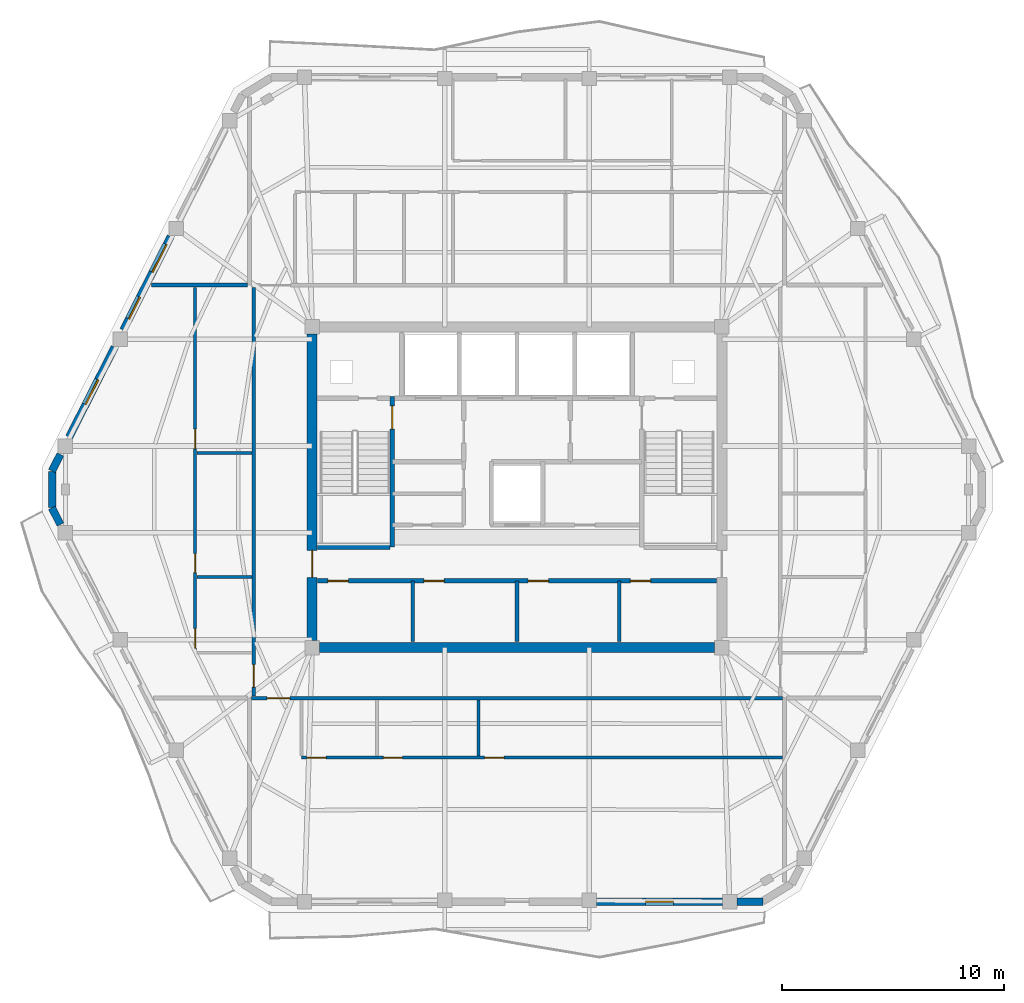
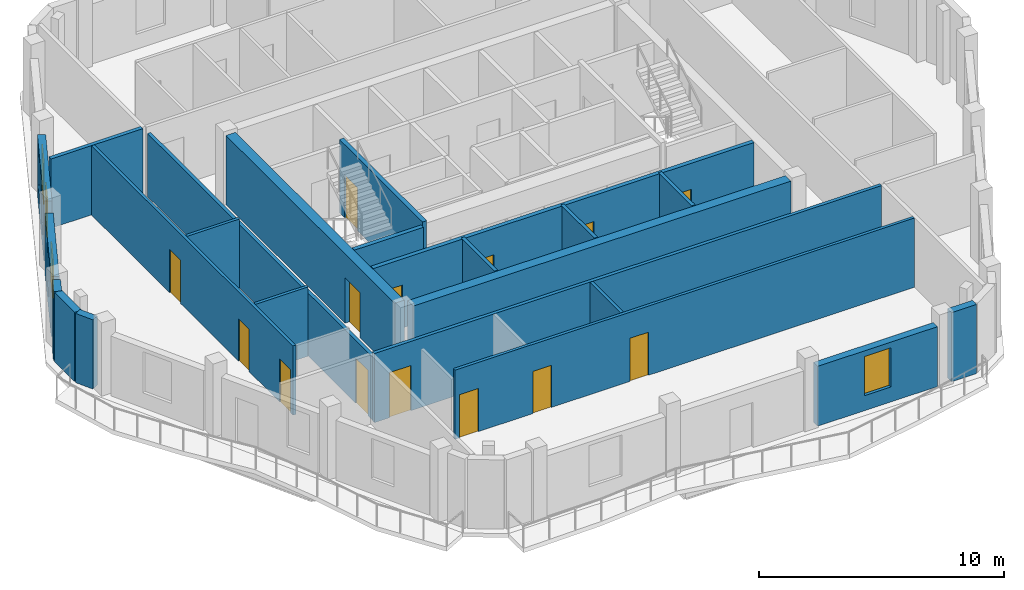
# One storey, part 4 of 10: 23 walls, 14 doors, 4 windows, 18 openings.
"""IFC4 building model written with IfcOpenShell, lengths in metres."""

from ifc_helpers import new_model, si_unit, direction, frame, frame_2d, origin, place, context, subcontext, project, spatial, rectangle, extrude, material, layer, layer_set, type_object, element, fill, save


model = new_model("IFC4")

# Units and contexts
model_context = context("Model", 3, precision=1e-05, world=origin(), true_north=direction((0.0, 1.0)))
body_context = subcontext(model_context, "Body", "Model", "MODEL_VIEW")
ifc_project = project(units=[si_unit("LENGTHUNIT", "METRE"), si_unit("AREAUNIT", "SQUARE_METRE"), si_unit("VOLUMEUNIT", "CUBIC_METRE"), si_unit("PLANEANGLEUNIT", "RADIAN"), si_unit("MASSUNIT", "GRAM", prefix="KILO")], contexts=[model_context])

# Site, building, storey
site_placement = place(None, origin())
site = spatial("IfcSite", under=ifc_project, at=site_placement, CompositionType="ELEMENT")
building_placement = place(site_placement, origin())
building = spatial("IfcBuilding", under=site, at=building_placement, Name="Cinnabar Lancet Tower", CompositionType="ELEMENT")
storey_placement = place(building_placement, frame((0.0, 0.0, 267.14990234375)))
storey = spatial("IfcBuildingStorey", under=building, at=storey_placement, Name="L71", CompositionType="ELEMENT", Elevation=267.14990234375)

# Walls
ifc_material_1 = material(Name="Acoustic twin-stud gypsum partition", Category="gypsum")
ifc_layer_1 = layer(ifc_material_1, 0.159912109375)
ifc_layer_set_1 = layer_set([ifc_layer_1], Name="Acoustic twin-stud gypsum partition")
wall_type_1 = type_object("IfcWallType", Name="ARC-WL-CORR-160", PredefinedType="PARTITIONING", material=ifc_layer_set_1)
for number, where, z_axis, x_axis, name in (
    (1, (27.699951171875, 18.949951171875, 0.0), (0.0, 0.0, 1.0), (0.0, 1.0, 0.0), "CW-SB-2770-L71"),
    (2, (32.39990234375, 18.949951171875, 0.0), (0.0, 0.0, 1.0), (0.0, 1.0, 0.0), "CW-SB-3240-L71"),
    (3, (37.0, 18.949951171875, 0.0), (0.0, 0.0, 1.0), (0.0, 1.0, 0.0), "CW-SB-3700-L71"),
):
    element("IfcWall", number, at=place(storey_placement, frame(where, z_axis=z_axis, x_axis=x_axis)), inside=storey, type_object=wall_type_1, Name=name, PredefinedType="PARTITIONING", context=body_context, shape_type="SweptSolid", body=[
        extrude(rectangle(XDim=2.72998046875, YDim=0.159912109375, at=frame_2d((1.364990234375, 0.0))), origin(), (0.0, 0.0, 1.0), 3.4501953125),
    ])

# Wall, opening, door
wall_1_placement = place(storey_placement, frame((20.445068359375, 16.39990234375, 0.0), z_axis=(0.0, 0.0, 1.0), x_axis=(1.0, 0.0, 0.0)))
wall_1 = element("IfcWall", 4, at=wall_1_placement, inside=storey, type_object=wall_type_1, Name="L71 Unit S01 Corridor Wall", PredefinedType="PARTITIONING", context=body_context, shape_type="SweptSolid", body=[
    extrude(rectangle(XDim=23.909912109375, YDim=0.159912109375, at=frame_2d((11.955078125, 0.0))), origin(), (0.0, 0.0, 1.0), 3.4501953125),
])
opening_1_placement = place(wall_1_placement, frame((0.705078125, 0.0, 0.0)))
opening_1 = element("IfcOpeningElement", 5, at=opening_1_placement, cuts=wall_1, Name="Opening UD-01", PredefinedType="OPENING", context=body_context, shape_type="SweptSolid", body=[
    extrude(rectangle(XDim=1.02001953125, YDim=2.25, at=frame_2d((0.510009765625, 1.125))), frame((0.0, 0.08984375, 0.0), z_axis=(0.0, -1.0, 0.0), x_axis=(1.0, 0.0, 0.0)), (0.0, 0.0, 1.0), 0.179931640625),
])
ifc_material_2 = material(Name="Solid timber fire-rated apartment entrance door", Category="wood")
door_type_1 = type_object("IfcDoorType", Name="ARC-DR-UNIT", OperationType="NOTDEFINED", PredefinedType="DOOR", material=ifc_material_2)
door_1_placement = place(opening_1_placement, origin())
door_1 = element("IfcDoor", 6, at=door_1_placement, inside=storey, type_object=door_type_1, Name="DR-L71-S01-ENT", OperationType="SINGLE_SWING_LEFT", OverallHeight=2.25, OverallWidth=1.02001953125, PredefinedType="DOOR", context=body_context, shape_type="SweptSolid", body=[
    extrude(rectangle(XDim=1.02001953125, YDim=2.25, at=frame_2d((0.510009765625, 1.125))), frame((0.0, 0.02490234375, 0.0), z_axis=(0.0, -1.0, 0.0), x_axis=(1.0, 0.0, 0.0)), (0.0, 0.0, 1.0), 0.050048828125),
])
fill(opening_1, door_1)

wall_2_placement = place(storey_placement, frame((20.550048828125, 16.4951171875, 0.0), z_axis=(0.0, 0.0, 1.0), x_axis=(0.0, 1.0, 0.0)))
wall_2 = element("IfcWall", 7, at=wall_2_placement, inside=storey, type_object=wall_type_1, Name="UW-L71-W01-COR", PredefinedType="PARTITIONING", context=body_context, shape_type="SweptSolid", body=[
    extrude(rectangle(XDim=18.409912109375, YDim=0.159912109375, at=frame_2d((9.205078125, 0.0))), origin(), (0.0, 0.0, 1.0), 3.13720703125),
])
opening_2_placement = place(wall_2_placement, frame((0.39990234375, 0.0, 0.0)))
opening_2 = element("IfcOpeningElement", 8, at=opening_2_placement, cuts=wall_2, Name="Opening UD-01", PredefinedType="OPENING", context=body_context, shape_type="SweptSolid", body=[
    extrude(rectangle(XDim=1.02001953125, YDim=2.25, at=frame_2d((0.510009765625, 1.125))), frame((0.0, 0.08984375, 0.0), z_axis=(0.0, -1.0, 0.0), x_axis=(1.0, 0.0, 0.0)), (0.0, 0.0, 1.0), 0.179931640625),
])
door_2_placement = place(opening_2_placement, origin())
door_2 = element("IfcDoor", 9, at=door_2_placement, inside=storey, type_object=door_type_1, Name="DR-L71-W01-ENT", OperationType="SINGLE_SWING_LEFT", OverallHeight=2.25, OverallWidth=1.02001953125, PredefinedType="DOOR", context=body_context, shape_type="SweptSolid", body=[
    extrude(rectangle(XDim=1.02001953125, YDim=2.25, at=frame_2d((0.510009765625, 1.125))), frame((0.0, 0.02490234375, 0.0), z_axis=(0.0, -1.0, 0.0), x_axis=(1.0, 0.0, 0.0)), (0.0, 0.0, 1.0), 0.050048828125),
])
fill(opening_2, door_2)

# Walls
ifc_material_3 = material(Name="Fire-rated twin-frame acoustic drywall", Category="gypsum")
ifc_layer_2 = layer(ifc_material_3, 0.179931640625)
ifc_layer_set_2 = layer_set([ifc_layer_2], Name="Fire-rated twin-frame acoustic drywall")
wall_type_2 = type_object("IfcWallType", Name="ARC-WL-PARTY-180", PredefinedType="PARTITIONING", material=ifc_layer_set_2)
wall_3_placement = place(storey_placement, frame((15.93310546875, 35.0, 0.0), z_axis=(0.0, 0.0, 1.0), x_axis=(1.0, 0.0, 0.0)))
element("IfcWall", 10, at=wall_3_placement, inside=storey, type_object=wall_type_2, Name="PW-L71-WNB", PredefinedType="PARTITIONING", context=body_context, shape_type="SweptSolid", body=[
    extrude(rectangle(XDim=4.32177734375, YDim=0.179931640625, at=frame_2d((2.160888671875, 0.0))), origin(), (0.0, 0.0, 1.0), 3.4501953125),
])
ifc_material_4 = material(Name="Autoclaved aerated concrete blockwork", Category="masonry")
ifc_layer_3 = layer(ifc_material_4, 0.199951171875)
ifc_layer_set_3 = layer_set([ifc_layer_3], Name="Autoclaved aerated concrete blockwork")
wall_type_3 = type_object("IfcWallType", Name="ARC-WL-SHAFT-200", PredefinedType="PLUMBINGWALL", material=ifc_layer_set_3)
wall_4_placement = place(storey_placement, frame((23.405029296875, 23.199951171875, 0.0), z_axis=(0.0, 0.0, 1.0), x_axis=(1.0, 0.0, 0.0)))
element("IfcWall", 11, at=wall_4_placement, inside=storey, type_object=wall_type_3, Name="CW-ST1S-L71", PredefinedType="PLUMBINGWALL", context=body_context, shape_type="SweptSolid", body=[
    extrude(rectangle(XDim=3.27001953125, YDim=0.199951171875, at=frame_2d((1.635009765625, 0.0))), origin(), (0.0, 0.0, 1.0), 3.4501953125),
])

# Wall, openings, doors
wall_5_placement = place(storey_placement, frame((23.419921875, 21.679931640625, 0.0), z_axis=(0.0, 0.0, 1.0), x_axis=(1.0, 0.0, 0.0)))
wall_5 = element("IfcWall", 12, at=wall_5_placement, inside=storey, type_object=wall_type_3, Name="CW-SBANDN-L71", PredefinedType="PLUMBINGWALL", context=body_context, shape_type="SweptSolid", body=[
    extrude(rectangle(XDim=17.9599609375, YDim=0.199951171875, at=frame_2d((8.97998046875, 0.0))), origin(), (0.0, 0.0, 1.0), 3.4501953125),
])
opening_3_placement = place(wall_5_placement, frame((0.4599609375, 0.0, 0.0)))
opening_3 = element("IfcOpeningElement", 13, at=opening_3_placement, cuts=wall_5, Name="Opening RD-01", PredefinedType="OPENING", context=body_context, shape_type="SweptSolid", body=[
    extrude(rectangle(XDim=0.919921875, YDim=2.14990234375, at=frame_2d((0.4599609375, 1.074951171875))), frame((0.0, 0.10986328125, 0.0), z_axis=(0.0, -1.0, 0.0), x_axis=(1.0, 0.0, 0.0)), (0.0, 0.0, 1.0), 0.219970703125),
])
opening_4_placement = place(wall_5_placement, frame((4.780029296875, 0.0, 0.0)))
opening_4 = element("IfcOpeningElement", 14, at=opening_4_placement, cuts=wall_5, Name="Opening RD-01", PredefinedType="OPENING", context=body_context, shape_type="SweptSolid", body=[
    extrude(rectangle(XDim=0.919921875, YDim=2.14990234375, at=frame_2d((0.4599609375, 1.074951171875))), frame((0.0, 0.10986328125, 0.0), z_axis=(0.0, -1.0, 0.0), x_axis=(1.0, 0.0, 0.0)), (0.0, 0.0, 1.0), 0.219970703125),
])
opening_5_placement = place(wall_5_placement, frame((9.47998046875, 0.0, 0.0)))
opening_5 = element("IfcOpeningElement", 15, at=opening_5_placement, cuts=wall_5, Name="Opening RD-01", PredefinedType="OPENING", context=body_context, shape_type="SweptSolid", body=[
    extrude(rectangle(XDim=0.919921875, YDim=2.14990234375, at=frame_2d((0.4599609375, 1.074951171875))), frame((0.0, 0.10986328125, 0.0), z_axis=(0.0, -1.0, 0.0), x_axis=(1.0, 0.0, 0.0)), (0.0, 0.0, 1.0), 0.219970703125),
])
opening_6_placement = place(wall_5_placement, frame((14.080078125, 0.0, 0.0)))
opening_6 = element("IfcOpeningElement", 16, at=opening_6_placement, cuts=wall_5, Name="Opening RD-01", PredefinedType="OPENING", context=body_context, shape_type="SweptSolid", body=[
    extrude(rectangle(XDim=0.919921875, YDim=2.14990234375, at=frame_2d((0.4599609375, 1.074951171875))), frame((0.0, 0.10986328125, 0.0), z_axis=(0.0, -1.0, 0.0), x_axis=(1.0, 0.0, 0.0)), (0.0, 0.0, 1.0), 0.219970703125),
])
ifc_material_5 = material(Name="Engineered timber bedroom door", Category="wood")
door_type_2 = type_object("IfcDoorType", Name="ARC-DR-ROOM", OperationType="NOTDEFINED", PredefinedType="DOOR", material=ifc_material_5)
door_3_placement = place(opening_3_placement, origin())
door_3 = element("IfcDoor", 17, at=door_3_placement, inside=storey, type_object=door_type_2, Name="DR-L71-HREC1", OperationType="SINGLE_SWING_LEFT", OverallHeight=2.14990234375, OverallWidth=0.919921875, PredefinedType="DOOR", context=body_context, shape_type="SweptSolid", body=[
    extrude(rectangle(XDim=0.919921875, YDim=2.14990234375, at=frame_2d((0.4599609375, 1.074951171875))), frame((0.0, 0.02490234375, 0.0), z_axis=(0.0, -1.0, 0.0), x_axis=(1.0, 0.0, 0.0)), (0.0, 0.0, 1.0), 0.050048828125),
])
fill(opening_3, door_3)
door_4_placement = place(opening_4_placement, origin())
door_4 = element("IfcDoor", 18, at=door_4_placement, inside=storey, type_object=door_type_2, Name="DR-L71-HREC2", OperationType="SINGLE_SWING_RIGHT", OverallHeight=2.14990234375, OverallWidth=0.919921875, PredefinedType="DOOR", context=body_context, shape_type="SweptSolid", body=[
    extrude(rectangle(XDim=0.919921875, YDim=2.14990234375, at=frame_2d((0.4599609375, 1.074951171875))), frame((0.0, 0.02490234375, 0.0), z_axis=(0.0, -1.0, 0.0), x_axis=(1.0, 0.0, 0.0)), (0.0, 0.0, 1.0), 0.050048828125),
])
fill(opening_4, door_4)
door_5_placement = place(opening_5_placement, origin())
door_5 = element("IfcDoor", 19, at=door_5_placement, inside=storey, type_object=door_type_2, Name="DR-L71-HREC3", OperationType="SINGLE_SWING_LEFT", OverallHeight=2.14990234375, OverallWidth=0.919921875, PredefinedType="DOOR", context=body_context, shape_type="SweptSolid", body=[
    extrude(rectangle(XDim=0.919921875, YDim=2.14990234375, at=frame_2d((0.4599609375, 1.074951171875))), frame((0.0, 0.02490234375, 0.0), z_axis=(0.0, -1.0, 0.0), x_axis=(1.0, 0.0, 0.0)), (0.0, 0.0, 1.0), 0.050048828125),
])
fill(opening_5, door_5)
door_6_placement = place(opening_6_placement, origin())
door_6 = element("IfcDoor", 20, at=door_6_placement, inside=storey, type_object=door_type_2, Name="DR-L71-HREC4", OperationType="SINGLE_SWING_RIGHT", OverallHeight=2.14990234375, OverallWidth=0.919921875, PredefinedType="DOOR", context=body_context, shape_type="SweptSolid", body=[
    extrude(rectangle(XDim=0.919921875, YDim=2.14990234375, at=frame_2d((0.4599609375, 1.074951171875))), frame((0.0, 0.02490234375, 0.0), z_axis=(0.0, -1.0, 0.0), x_axis=(1.0, 0.0, 0.0)), (0.0, 0.0, 1.0), 0.050048828125),
])
fill(opening_6, door_6)

ifc_material_6 = material(Name="Moisture-resistant cement-board plumbing wall", Category="masonry")
ifc_layer_4 = layer(ifc_material_6, 0.139892578125)
ifc_layer_set_4 = layer_set([ifc_layer_4], Name="Moisture-resistant cement-board plumbing wall")
wall_type_4 = type_object("IfcWallType", Name="ARC-WL-WET-140", PredefinedType="PLUMBINGWALL", material=ifc_layer_set_4)
wall_6_placement = place(storey_placement, frame((22.699951171875, 13.720947265625, 0.0), z_axis=(0.0, 0.0, 1.0), x_axis=(1.0, 0.0, 0.0)))
wall_6 = element("IfcWall", 21, at=wall_6_placement, inside=storey, type_object=wall_type_4, Name="UW-L71-S01-SPL", PredefinedType="PLUMBINGWALL", context=body_context, shape_type="SweptSolid", body=[
    extrude(rectangle(XDim=21.655029296875, YDim=0.139892578125, at=frame_2d((10.82763671875, 0.0))), origin(), (0.0, 0.0, 1.0), 3.4501953125),
])
opening_7_placement = place(wall_6_placement, frame((3.679931640625, 0.0, 0.0)))
opening_7 = element("IfcOpeningElement", 22, at=opening_7_placement, cuts=wall_6, Name="Opening BD-01", PredefinedType="OPENING", context=body_context, shape_type="SweptSolid", body=[
    extrude(rectangle(XDim=0.860107421875, YDim=2.10009765625, at=frame_2d((0.43017578125, 1.050048828125))), frame((0.0, 0.079833984375, 0.0), z_axis=(0.0, -1.0, 0.0), x_axis=(1.0, 0.0, 0.0)), (0.0, 0.0, 1.0), 0.159912109375),
])
opening_8_placement = place(wall_6_placement, frame((8.2451171875, 0.0, 0.0)))
opening_8 = element("IfcOpeningElement", 23, at=opening_8_placement, cuts=wall_6, Name="Opening RD-02", PredefinedType="OPENING", context=body_context, shape_type="SweptSolid", body=[
    extrude(rectangle(XDim=0.8798828125, YDim=2.14990234375, at=frame_2d((0.43994140625, 1.074951171875))), frame((0.0, 0.079833984375, 0.0), z_axis=(0.0, -1.0, 0.0), x_axis=(1.0, 0.0, 0.0)), (0.0, 0.0, 1.0), 0.159912109375),
])
opening_9_placement = place(wall_6_placement, frame((0.219970703125, 0.0, 0.0)))
opening_9 = element("IfcOpeningElement", 24, at=opening_9_placement, cuts=wall_6, Name="Opening RD-02", PredefinedType="OPENING", context=body_context, shape_type="SweptSolid", body=[
    extrude(rectangle(XDim=0.8798828125, YDim=2.14990234375, at=frame_2d((0.43994140625, 1.074951171875))), frame((0.0, 0.079833984375, 0.0), z_axis=(0.0, -1.0, 0.0), x_axis=(1.0, 0.0, 0.0)), (0.0, 0.0, 1.0), 0.159912109375),
])
ifc_material_7 = material(Name="Moisture-resistant timber bathroom door", Category="wood")
door_type_3 = type_object("IfcDoorType", Name="ARC-DR-BATH", OperationType="NOTDEFINED", PredefinedType="DOOR", material=ifc_material_7)
door_7_placement = place(opening_7_placement, origin())
door_7 = element("IfcDoor", 25, at=door_7_placement, inside=storey, type_object=door_type_3, Name="DR-L71-S01-BTH", OperationType="SINGLE_SWING_LEFT", OverallHeight=2.10009765625, OverallWidth=0.860107421875, PredefinedType="DOOR", context=body_context, shape_type="SweptSolid", body=[
    extrude(rectangle(XDim=0.860107421875, YDim=2.10009765625, at=frame_2d((0.43017578125, 1.050048828125))), frame((0.0, 0.02490234375, 0.0), z_axis=(0.0, -1.0, 0.0), x_axis=(1.0, 0.0, 0.0)), (0.0, 0.0, 1.0), 0.050048828125),
])
fill(opening_7, door_7)
ifc_material_8 = material(Name="Engineered timber study door", Category="wood")
door_type_4 = type_object("IfcDoorType", Name="ARC-DR-STUDY", OperationType="NOTDEFINED", PredefinedType="DOOR", material=ifc_material_8)
door_8_placement = place(opening_8_placement, origin())
door_8 = element("IfcDoor", 26, at=door_8_placement, inside=storey, type_object=door_type_4, Name="DR-L71-S01-BTH-WDR", OperationType="SINGLE_SWING_RIGHT", OverallHeight=2.14990234375, OverallWidth=0.8798828125, PredefinedType="DOOR", context=body_context, shape_type="SweptSolid", body=[
    extrude(rectangle(XDim=0.8798828125, YDim=2.14990234375, at=frame_2d((0.43994140625, 1.074951171875))), frame((0.0, 0.02490234375, 0.0), z_axis=(0.0, -1.0, 0.0), x_axis=(1.0, 0.0, 0.0)), (0.0, 0.0, 1.0), 0.050048828125),
])
fill(opening_8, door_8)
door_9_placement = place(opening_9_placement, origin())
door_9 = element("IfcDoor", 27, at=door_9_placement, inside=storey, type_object=door_type_4, Name="DR-L71-S01-KIT", OperationType="SINGLE_SWING_RIGHT", OverallHeight=2.14990234375, OverallWidth=0.8798828125, PredefinedType="DOOR", context=body_context, shape_type="SweptSolid", body=[
    extrude(rectangle(XDim=0.8798828125, YDim=2.14990234375, at=frame_2d((0.43994140625, 1.074951171875))), frame((0.0, 0.02490234375, 0.0), z_axis=(0.0, -1.0, 0.0), x_axis=(1.0, 0.0, 0.0)), (0.0, 0.0, 1.0), 0.050048828125),
])
fill(opening_9, door_9)

# Wall
wall_7_placement = place(storey_placement, frame((30.6650390625, 13.805908203125, 0.0), z_axis=(0.0, 0.0, 1.0), x_axis=(0.0, 1.0, 0.0)))
element("IfcWall", 28, at=wall_7_placement, inside=storey, type_object=wall_type_4, Name="UW-L71-S01-BTH-WDV", PredefinedType="PLUMBINGWALL", context=body_context, shape_type="SweptSolid", body=[
    extrude(rectangle(XDim=2.509033203125, YDim=0.139892578125, at=frame_2d((1.25439453125, 0.0))), origin(), (0.0, 0.0, 1.0), 3.4501953125),
])

# Wall, openings, doors
wall_8_placement = place(storey_placement, frame((17.89990234375, 18.449951171875, 0.0), z_axis=(0.0, 0.0, 1.0), x_axis=(0.0, 1.0, 0.0)))
wall_8 = element("IfcWall", 29, at=wall_8_placement, inside=storey, type_object=wall_type_4, Name="UW-L71-W01-SPL", PredefinedType="PLUMBINGWALL", context=body_context, shape_type="SweptSolid", body=[
    extrude(rectangle(XDim=16.455078125, YDim=0.139892578125, at=frame_2d((8.2275390625, 0.0))), origin(), (0.0, 0.0, 1.0), 3.4501953125),
])
opening_10_placement = place(wall_8_placement, frame((3.60009765625, 0.0, 0.0)))
opening_10 = element("IfcOpeningElement", 30, at=opening_10_placement, cuts=wall_8, Name="Opening BD-01", PredefinedType="OPENING", context=body_context, shape_type="SweptSolid", body=[
    extrude(rectangle(XDim=0.860107421875, YDim=2.10009765625, at=frame_2d((0.43017578125, 1.050048828125))), frame((0.0, 0.079833984375, 0.0), z_axis=(0.0, -1.0, 0.0), x_axis=(1.0, 0.0, 0.0)), (0.0, 0.0, 1.0), 0.159912109375),
])
opening_11_placement = place(wall_8_placement, frame((9.18701171875, 0.0, 0.0)))
opening_11 = element("IfcOpeningElement", 31, at=opening_11_placement, cuts=wall_8, Name="Opening RD-02", PredefinedType="OPENING", context=body_context, shape_type="SweptSolid", body=[
    extrude(rectangle(XDim=0.8798828125, YDim=2.14990234375, at=frame_2d((0.43994140625, 1.074951171875))), frame((0.0, 0.079833984375, 0.0), z_axis=(0.0, -1.0, 0.0), x_axis=(1.0, 0.0, 0.0)), (0.0, 0.0, 1.0), 0.159912109375),
])
opening_12_placement = place(wall_8_placement, frame((0.199951171875, 0.0, 0.0)))
opening_12 = element("IfcOpeningElement", 32, at=opening_12_placement, cuts=wall_8, Name="Opening RD-02", PredefinedType="OPENING", context=body_context, shape_type="SweptSolid", body=[
    extrude(rectangle(XDim=0.8798828125, YDim=2.14990234375, at=frame_2d((0.43994140625, 1.074951171875))), frame((0.0, 0.079833984375, 0.0), z_axis=(0.0, -1.0, 0.0), x_axis=(1.0, 0.0, 0.0)), (0.0, 0.0, 1.0), 0.159912109375),
])
door_10_placement = place(opening_10_placement, origin())
door_10 = element("IfcDoor", 33, at=door_10_placement, inside=storey, type_object=door_type_3, Name="DR-L71-W01-BTH", OperationType="SINGLE_SWING_LEFT", OverallHeight=2.10009765625, OverallWidth=0.860107421875, PredefinedType="DOOR", context=body_context, shape_type="SweptSolid", body=[
    extrude(rectangle(XDim=0.860107421875, YDim=2.10009765625, at=frame_2d((0.43017578125, 1.050048828125))), frame((0.0, 0.02490234375, 0.0), z_axis=(0.0, -1.0, 0.0), x_axis=(1.0, 0.0, 0.0)), (0.0, 0.0, 1.0), 0.050048828125),
])
fill(opening_10, door_10)
door_11_placement = place(opening_11_placement, origin())
door_11 = element("IfcDoor", 34, at=door_11_placement, inside=storey, type_object=door_type_4, Name="DR-L71-W01-WDR", OperationType="SINGLE_SWING_RIGHT", OverallHeight=2.14990234375, OverallWidth=0.8798828125, PredefinedType="DOOR", context=body_context, shape_type="SweptSolid", body=[
    extrude(rectangle(XDim=0.8798828125, YDim=2.14990234375, at=frame_2d((0.43994140625, 1.074951171875))), frame((0.0, 0.02490234375, 0.0), z_axis=(0.0, -1.0, 0.0), x_axis=(1.0, 0.0, 0.0)), (0.0, 0.0, 1.0), 0.050048828125),
])
fill(opening_11, door_11)
door_12_placement = place(opening_12_placement, origin())
door_12 = element("IfcDoor", 35, at=door_12_placement, inside=storey, type_object=door_type_4, Name="DR-L71-W01-KIT", OperationType="SINGLE_SWING_RIGHT", OverallHeight=2.14990234375, OverallWidth=0.8798828125, PredefinedType="DOOR", context=body_context, shape_type="SweptSolid", body=[
    extrude(rectangle(XDim=0.8798828125, YDim=2.14990234375, at=frame_2d((0.43994140625, 1.074951171875))), frame((0.0, 0.02490234375, 0.0), z_axis=(0.0, -1.0, 0.0), x_axis=(1.0, 0.0, 0.0)), (0.0, 0.0, 1.0), 0.050048828125),
])
fill(opening_12, door_12)

# Walls
for number, where, z_axis, x_axis, name in (
    (36, (17.985107421875, 21.85009765625, 0.0), (0.0, 0.0, 1.0), (1.0, 0.0, 0.0), "UW-L71-W01-KDV"),
    (37, (17.985107421875, 27.43701171875, 0.0), (0.0, 0.0, 1.0), (1.0, 0.0, 0.0), "UW-L71-W01-BWDV"),
):
    element("IfcWall", number, at=place(storey_placement, frame(where, z_axis=z_axis, x_axis=x_axis)), inside=storey, type_object=wall_type_4, Name=name, PredefinedType="PLUMBINGWALL", context=body_context, shape_type="SweptSolid", body=[
        extrude(rectangle(XDim=2.47998046875, YDim=0.139892578125, at=frame_2d((1.239990234375, 0.0))), origin(), (0.0, 0.0, 1.0), 3.4501953125),
    ])
ifc_material_9 = material(Name="Cinnabar red clay brick", Category="masonry")
ifc_layer_5 = layer(ifc_material_9, 0.340087890625)
ifc_layer_set_5 = layer_set([ifc_layer_5], Name="Cinnabar red clay brick")
wall_type_5 = type_object("IfcWallType", Name="ENV-WL-BRK-RED-340", PredefinedType="STANDARD", material=ifc_layer_set_5)
wall_9_placement = place(storey_placement, frame((11.47705078125, 26.6201171875, 0.0), z_axis=(0.0, 0.0, 1.0), x_axis=(0.0, -1.0, 0.0)))
element("IfcWall", 38, at=wall_9_placement, inside=storey, type_object=wall_type_5, Name="L71 Chamfered Corner Brick Pier 6.1", PredefinedType="STANDARD", context=body_context, shape_type="SweptSolid", body=[
    extrude(rectangle(XDim=1.64013671875, YDim=0.340087890625, at=frame_2d((0.820068359375, 0.0))), origin(), (0.0, 0.0, 1.0), 3.4501953125),
])

# Wall, opening, window
wall_10_placement = place(storey_placement, frame((35.98291015625, 7.22998046875, 0.0), z_axis=(0.0, 0.0, 1.0), x_axis=(1.0, 0.0, 0.0)))
wall_10 = element("IfcWall", 39, at=wall_10_placement, inside=storey, type_object=wall_type_5, Name="L71 Face 1 Masonry Bay Wall 4", PredefinedType="STANDARD", context=body_context, shape_type="SweptSolid", body=[
    extrude(rectangle(XDim=5.66015625, YDim=0.340087890625, at=frame_2d((2.830078125, 0.0))), origin(), (0.0, 0.0, 1.0), 2.983154296875),
])
opening_13_placement = place(wall_10_placement, frame((2.205078125, 0.0, 0.75)))
opening_13 = element("IfcOpeningElement", 40, at=opening_13_placement, cuts=wall_10, Name="Opening WN-03", PredefinedType="OPENING", context=body_context, shape_type="SweptSolid", body=[
    extrude(rectangle(XDim=1.25, YDim=1.949951171875, at=frame_2d((0.625, 0.97509765625))), frame((0.0, 0.179931640625, 0.0), z_axis=(0.0, -1.0, 0.0), x_axis=(1.0, 0.0, 0.0)), (0.0, 0.0, 1.0), 0.360107421875),
])
ifc_material_10 = material(Name="Thermally broken bronze-anodized aluminium low-E double glazing", Category="aluminium")
window_type_1 = type_object("IfcWindowType", Name="ENV-WN-LANCET-1250", PartitioningType="SINGLE_PANEL", PredefinedType="WINDOW", material=ifc_material_10)
window_1_placement = place(opening_13_placement, origin())
window_1 = element("IfcWindow", 41, at=window_1_placement, inside=storey, type_object=window_type_1, Name="L71 Face 1 Gothic Lancet Window 4", OverallHeight=1.949951171875, OverallWidth=1.25, PartitioningType="SINGLE_PANEL", PredefinedType="WINDOW", context=body_context, shape_type="SweptSolid", body=[
    extrude(rectangle(XDim=1.25, YDim=1.949951171875, at=frame_2d((0.625, 0.97509765625))), frame((0.0, 0.030029296875, 0.0), z_axis=(0.0, -1.0, 0.0), x_axis=(1.0, 0.0, 0.0)), (0.0, 0.0, 1.0), 0.06005859375),
])
fill(opening_13, window_1)

# Wall
wall_11_placement = place(storey_placement, frame((42.301025390625, 7.22998046875, 0.0), z_axis=(0.0, 0.0, 1.0), x_axis=(1.0, 0.0, 0.0)))
element("IfcWall", 42, at=wall_11_placement, inside=storey, type_object=wall_type_5, Name="L71 Face 1 Masonry Bay Wall 5", PredefinedType="STANDARD", context=body_context, shape_type="SweptSolid", body=[
    extrude(rectangle(XDim=1.173095703125, YDim=0.340087890625, at=frame_2d((0.58642578125, 0.0))), origin(), (0.0, 0.0, 1.0), 3.4501953125),
])

# Wall, openings, windows
wall_12_placement = place(storey_placement, frame((16.798095703125, 37.18701171875, 0.0), z_axis=(0.0, 0.0, 1.0), x_axis=(-0.451447516904, -0.892297674255, 0.0)))
wall_12 = element("IfcWall", 43, at=wall_12_placement, inside=storey, type_object=wall_type_5, Name="L71 Face 5 Masonry Bay Wall 3", PredefinedType="STANDARD", context=body_context, shape_type="SweptSolid", body=[
    extrude(rectangle(XDim=4.72265625, YDim=0.340087890625, at=frame_2d((2.361328125, 0.0))), origin(), (0.0, 0.0, 1.0), 2.983154296875),
])
opening_14_placement = place(wall_12_placement, frame((0.39599609375, 0.0, 0.75)))
opening_14 = element("IfcOpeningElement", 44, at=opening_14_placement, cuts=wall_12, Name="Opening WN-02", PredefinedType="OPENING", context=body_context, shape_type="SweptSolid", body=[
    extrude(rectangle(XDim=1.39990234375, YDim=2.050048828125, at=frame_2d((0.699951171875, 1.02490234375))), frame((0.0, 0.179931640625, 0.0), z_axis=(0.0, -1.0, 0.0), x_axis=(1.0, 0.0, 0.0)), (0.0, 0.0, 1.0), 0.360107421875),
])
opening_15_placement = place(wall_12_placement, frame((3.05810546875, 0.0, 0.75)))
opening_15 = element("IfcOpeningElement", 45, at=opening_15_placement, cuts=wall_12, Name="Opening WN-04", PredefinedType="OPENING", context=body_context, shape_type="SweptSolid", body=[
    extrude(rectangle(XDim=1.10009765625, YDim=2.0, at=frame_2d((0.550048828125, 1.0))), frame((0.0, 0.179931640625, 0.0), z_axis=(0.0, -1.0, 0.0), x_axis=(1.0, 0.0, 0.0)), (0.0, 0.0, 1.0), 0.360107421875),
])
ifc_material_11 = material(Name="Thermally broken bronze-anodized aluminium tall lancet window", Category="aluminium")
window_type_2 = type_object("IfcWindowType", Name="ENV-WN-LANCET-1100", PartitioningType="SINGLE_PANEL", PredefinedType="WINDOW", material=ifc_material_11)
window_2_placement = place(opening_15_placement, origin())
window_2 = element("IfcWindow", 46, at=window_2_placement, inside=storey, type_object=window_type_2, Name="L71 Split-Bay Gothic Lancet Window 266", OverallHeight=2.0, OverallWidth=1.10009765625, PartitioningType="SINGLE_PANEL", PredefinedType="WINDOW", context=body_context, shape_type="SweptSolid", body=[
    extrude(rectangle(XDim=1.10009765625, YDim=2.0, at=frame_2d((0.550048828125, 1.0))), frame((0.0, 0.030029296875, 0.0), z_axis=(0.0, -1.0, 0.0), x_axis=(1.0, 0.0, 0.0)), (0.0, 0.0, 1.0), 0.06005859375),
])
fill(opening_15, window_2)
ifc_material_12 = material(Name="Thermally broken bronze-anodized aluminium low-E double glazing", Category="aluminium")
window_type_3 = type_object("IfcWindowType", Name="ENV-WN-LANCET-1400", PartitioningType="SINGLE_PANEL", PredefinedType="WINDOW", material=ifc_material_12)
window_3_placement = place(opening_14_placement, origin())
window_3 = element("IfcWindow", 47, at=window_3_placement, inside=storey, type_object=window_type_3, Name="L71 Face 5 Gothic Lancet Window 3", OverallHeight=2.050048828125, OverallWidth=1.39990234375, PartitioningType="SINGLE_PANEL", PredefinedType="WINDOW", context=body_context, shape_type="SweptSolid", body=[
    extrude(rectangle(XDim=1.39990234375, YDim=2.050048828125, at=frame_2d((0.699951171875, 1.02490234375))), frame((0.0, 0.030029296875, 0.0), z_axis=(0.0, -1.0, 0.0), x_axis=(1.0, 0.0, 0.0)), (0.0, 0.0, 1.0), 0.06005859375),
])
fill(opening_14, window_3)

# Wall, opening, window
wall_13_placement = place(storey_placement, frame((14.277099609375, 32.202880859375, 0.0), z_axis=(0.0, 0.0, 1.0), x_axis=(-0.45147697324, -0.892282770558, 0.0)))
wall_13 = element("IfcWall", 48, at=wall_13_placement, inside=storey, type_object=wall_type_5, Name="L71 Face 5 Masonry Bay Wall 4", PredefinedType="STANDARD", context=body_context, shape_type="SweptSolid", body=[
    extrude(rectangle(XDim=4.530029296875, YDim=0.340087890625, at=frame_2d((2.26513671875, 0.0))), origin(), (0.0, 0.0, 1.0), 2.983154296875),
])
opening_16_placement = place(wall_13_placement, frame((1.639892578125, 0.0, 0.75)))
opening_16 = element("IfcOpeningElement", 49, at=opening_16_placement, cuts=wall_13, Name="Opening WN-03", PredefinedType="OPENING", context=body_context, shape_type="SweptSolid", body=[
    extrude(rectangle(XDim=1.25, YDim=1.949951171875, at=frame_2d((0.625, 0.97509765625))), frame((0.0, 0.179931640625, 0.0), z_axis=(0.0, -1.0, 0.0), x_axis=(1.0, 0.0, 0.0)), (0.0, 0.0, 1.0), 0.360107421875),
])
window_4_placement = place(opening_16_placement, origin())
window_4 = element("IfcWindow", 50, at=window_4_placement, inside=storey, type_object=window_type_1, Name="L71 Face 5 Gothic Lancet Window 4", OverallHeight=1.949951171875, OverallWidth=1.25, PartitioningType="SINGLE_PANEL", PredefinedType="WINDOW", context=body_context, shape_type="SweptSolid", body=[
    extrude(rectangle(XDim=1.25, YDim=1.949951171875, at=frame_2d((0.625, 0.97509765625))), frame((0.0, 0.030029296875, 0.0), z_axis=(0.0, -1.0, 0.0), x_axis=(1.0, 0.0, 0.0)), (0.0, 0.0, 1.0), 0.06005859375),
])
fill(opening_16, window_4)

# Walls
wall_14_placement = place(storey_placement, frame((11.8349609375, 27.3759765625, 0.0), z_axis=(0.0, 0.0, 1.0), x_axis=(-0.45139691133, -0.892323275748, 0.0)))
element("IfcWall", 51, at=wall_14_placement, inside=storey, type_object=wall_type_5, Name="L71 Face 5 Masonry Bay Wall 5", PredefinedType="STANDARD", context=body_context, shape_type="SweptSolid", body=[
    extrude(rectangle(XDim=0.83935546875, YDim=0.340087890625, at=frame_2d((0.419677734375, 0.0))), origin(), (0.0, 0.0, 1.0), 3.4501953125),
])
wall_15_placement = place(storey_placement, frame((11.4560546875, 24.972900390625, 0.0), z_axis=(0.0, 0.0, 1.0), x_axis=(0.4515140893, -0.892263989615, 0.0)))
element("IfcWall", 52, at=wall_15_placement, inside=storey, type_object=wall_type_5, Name="L71 Face 6 Masonry Bay Wall 1", PredefinedType="STANDARD", context=body_context, shape_type="SweptSolid", body=[
    extrude(rectangle(XDim=0.839111328125, YDim=0.340087890625, at=frame_2d((0.41943359375, 0.0))), origin(), (0.0, 0.0, 1.0), 3.4501953125),
])
ifc_material_13 = material(Name="Concrete C50/60", Category="concrete")
ifc_layer_6 = layer(ifc_material_13, 0.449951171875)
ifc_layer_set_6 = layer_set([ifc_layer_6], Name="Concrete C50/60")
wall_type_6 = type_object("IfcWallType", Name="STR-WL-CORE-450", PredefinedType="SHEAR", material=ifc_layer_set_6)
wall_16_placement = place(storey_placement, frame((23.5, 18.675048828125, 0.0), z_axis=(0.0, 0.0, 1.0), x_axis=(1.0, 0.0, 0.0)))
element("IfcWall", 53, at=wall_16_placement, inside=storey, type_object=wall_type_6, Name="L71 Core Shear Wall S", PredefinedType="SHEAR", context=body_context, shape_type="SweptSolid", body=[
    extrude(rectangle(XDim=17.800048828125, YDim=0.449951171875, at=frame_2d((8.89990234375, 0.0))), origin(), (0.0, 0.0, 1.0), 3.4501953125),
])

# Wall, opening, door
wall_17_placement = place(storey_placement, frame((23.175048828125, 19.0, 0.0), z_axis=(0.0, 0.0, 1.0), x_axis=(0.0, 1.0, 0.0)))
wall_17 = element("IfcWall", 54, at=wall_17_placement, inside=storey, type_object=wall_type_6, Name="L71 Core Shear Wall W", PredefinedType="SHEAR", context=body_context, shape_type="SweptSolid", body=[
    extrude(rectangle(XDim=13.800048828125, YDim=0.449951171875, at=frame_2d((6.89990234375, 0.0))), origin(), (0.0, 0.0, 1.0), 3.4501953125),
])
opening_17_placement = place(wall_17_placement, frame((2.840087890625, 0.0, 0.0)))
opening_17 = element("IfcOpeningElement", 55, at=opening_17_placement, cuts=wall_17, Name="Opening FD-02", PredefinedType="OPENING", context=body_context, shape_type="SweptSolid", body=[
    extrude(rectangle(XDim=1.219970703125, YDim=2.25, at=frame_2d((0.60986328125, 1.125))), frame((0.0, 0.23486328125, 0.0), z_axis=(0.0, -1.0, 0.0), x_axis=(1.0, 0.0, 0.0)), (0.0, 0.0, 1.0), 0.469970703125),
])
ifc_material_14 = material(Name="Fire-rated double-vision core portal door", Category="wood")
door_type_5 = type_object("IfcDoorType", Name="ARC-DR-CPORT", OperationType="NOTDEFINED", PredefinedType="DOOR", material=ifc_material_14)
door_13_placement = place(opening_17_placement, origin())
door_13 = element("IfcDoor", 56, at=door_13_placement, inside=storey, type_object=door_type_5, Name="L71 West Core Lobby Fire Door", OperationType="SINGLE_SWING_RIGHT", OverallHeight=2.25, OverallWidth=1.219970703125, PredefinedType="DOOR", context=body_context, shape_type="SweptSolid", body=[
    extrude(rectangle(XDim=1.219970703125, YDim=2.25, at=frame_2d((0.60986328125, 1.125))), frame((0.0, 0.02490234375, 0.0), z_axis=(0.0, -1.0, 0.0), x_axis=(1.0, 0.0, 0.0)), (0.0, 0.0, 1.0), 0.050048828125),
])
fill(opening_17, door_13)

ifc_material_15 = material(Name="Concrete C50/60", Category="concrete")
ifc_layer_7 = layer(ifc_material_15, 0.199951171875)
ifc_layer_set_7 = layer_set([ifc_layer_7], Name="Concrete C50/60")
wall_type_7 = type_object("IfcWallType", Name="STR-WL-STAIR-200", PredefinedType="SHEAR", material=ifc_layer_set_7)
wall_18_placement = place(storey_placement, frame((26.780029296875, 23.199951171875, 0.0), z_axis=(0.0, 0.0, 1.0), x_axis=(0.0, 1.0, 0.0)))
wall_18 = element("IfcWall", 57, at=wall_18_placement, inside=storey, type_object=wall_type_7, Name="L71 Stair ST-1 Structural Enclosure Wall", PredefinedType="SHEAR", context=body_context, shape_type="SweptSolid", body=[
    extrude(rectangle(XDim=6.780029296875, YDim=0.199951171875, at=frame_2d((3.39013671875, 0.0))), origin(), (0.0, 0.0, 1.0), 3.650146484375),
])
opening_18_placement = place(wall_18_placement, frame((5.320068359375, 0.0, 0.0)))
opening_18 = element("IfcOpeningElement", 58, at=opening_18_placement, cuts=wall_18, Name="Opening SD-01", PredefinedType="OPENING", context=body_context, shape_type="SweptSolid", body=[
    extrude(rectangle(XDim=1.050048828125, YDim=2.14990234375, at=frame_2d((0.52490234375, 1.074951171875))), frame((0.0, 0.10986328125, 0.0), z_axis=(0.0, -1.0, 0.0), x_axis=(1.0, 0.0, 0.0)), (0.0, 0.0, 1.0), 0.219970703125),
])
ifc_material_16 = material(Name="Fire-rated steel stair exit door", Category="steel")
door_type_6 = type_object("IfcDoorType", Name="ARC-DR-STAIR", OperationType="NOTDEFINED", PredefinedType="DOOR", material=ifc_material_16)
door_14_placement = place(opening_18_placement, origin())
door_14 = element("IfcDoor", 59, at=door_14_placement, inside=storey, type_object=door_type_6, Name="L71 Stair ST-1 Fire Door", OperationType="SINGLE_SWING_LEFT", OverallHeight=2.14990234375, OverallWidth=1.050048828125, PredefinedType="DOOR", context=body_context, shape_type="SweptSolid", body=[
    extrude(rectangle(XDim=1.050048828125, YDim=2.14990234375, at=frame_2d((0.52490234375, 1.074951171875))), frame((0.0, 0.02490234375, 0.0), z_axis=(0.0, -1.0, 0.0), x_axis=(1.0, 0.0, 0.0)), (0.0, 0.0, 1.0), 0.050048828125),
])
fill(opening_18, door_14)

save(model, "model.ifc")
